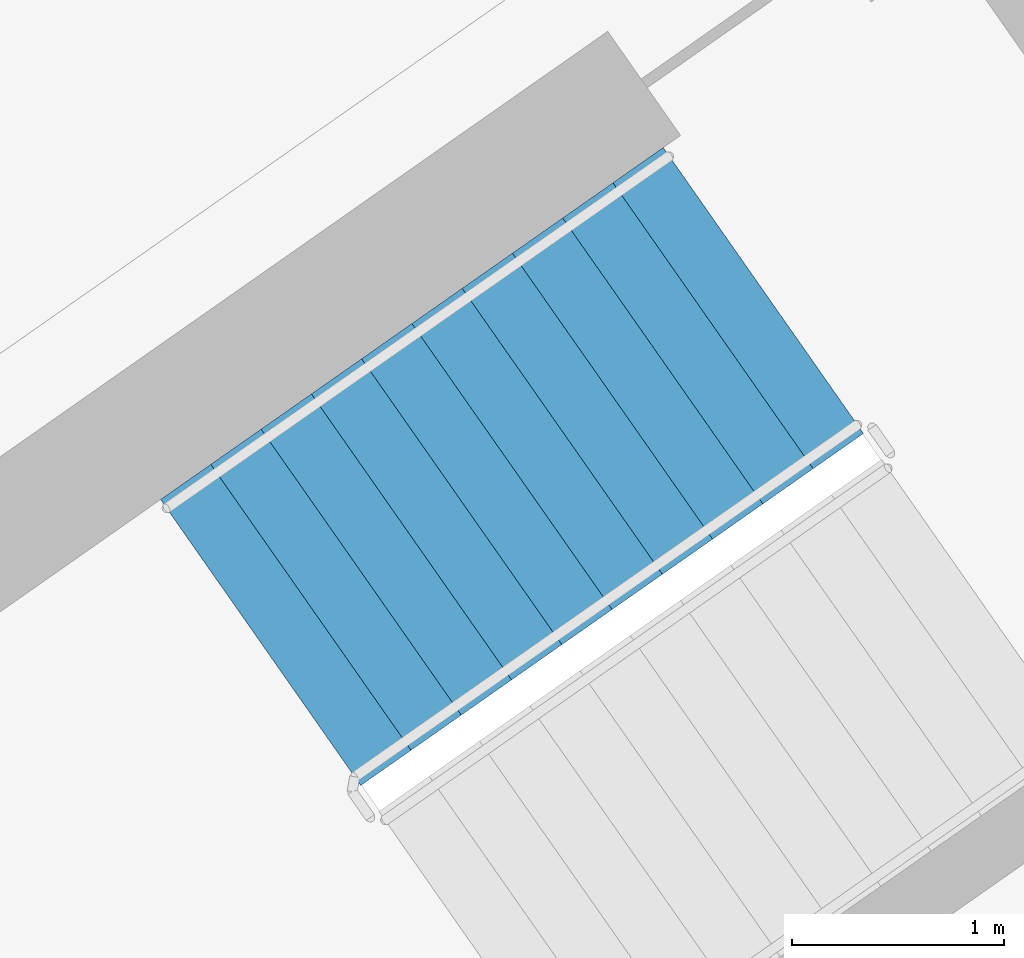
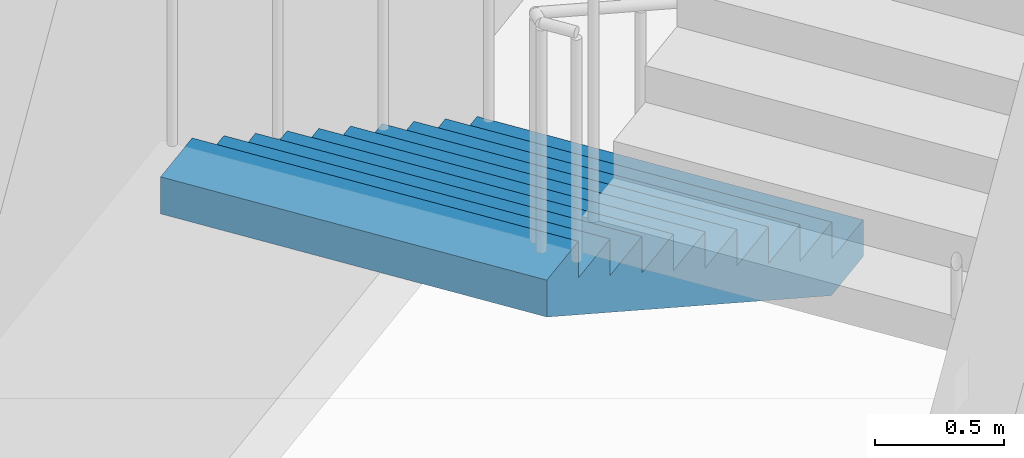
# One storey, part 15 of 28: 1 stair flight, 1 element without a shape of its own.
"""IFC4 building model written with IfcOpenShell, lengths in metres."""

from ifc_helpers import new_model, si_unit, direction, frame, origin, place, context, subcontext, project, spatial, faceted_brep, material, type_object, element, aggregate, save


model = new_model("IFC4")

# Units and contexts
model_context = context("Model", 3, precision=1e-05, world=origin(), true_north=direction((0.0, 1.0)))
body_context = subcontext(model_context, "Body", "Model", "MODEL_VIEW")
ifc_project = project(units=[si_unit("LENGTHUNIT", "METRE"), si_unit("AREAUNIT", "SQUARE_METRE"), si_unit("VOLUMEUNIT", "CUBIC_METRE"), si_unit("PLANEANGLEUNIT", "RADIAN"), si_unit("MASSUNIT", "GRAM", prefix="KILO")], contexts=[model_context])

# Site, building, storey
site_placement = place(None, origin())
site = spatial("IfcSite", under=ifc_project, at=site_placement, CompositionType="ELEMENT")
building_placement = place(site_placement, origin())
building = spatial("IfcBuilding", under=site, at=building_placement, Name="Qamariyya Broadcast Tower", CompositionType="ELEMENT")
storey_placement = place(building_placement, frame((0.0, 0.0, 249.300048828125)))
storey = spatial("IfcBuildingStorey", under=building, at=storey_placement, Name="L60", CompositionType="ELEMENT", Elevation=249.300048828125)

# Stair, stair flight
ifc_material = material(Name="Concrete C50/60", Category="concrete")
stair_type = type_object("IfcStairType", Name="Exit stair 22 risers of 173 mm", PredefinedType="HALF_TURN_STAIR", material=ifc_material)
stair_placement = place(storey_placement, origin())
stair = element("IfcStair", 1, at=stair_placement, inside=storey, type_object=stair_type, Name="L60 Stair E2", PredefinedType="HALF_TURN_STAIR")
stair_flight_type = type_object("IfcStairFlightType", Name="Exit stair flight 11 risers of 173 mm", PredefinedType="STRAIGHT", material=ifc_material)
stair_flight_placement = place(storey_placement, frame((40.558837890625, -47.685302734375, 0.0), z_axis=(0.0, 0.0, 1.0), x_axis=(-0.819152044289, -0.573576436351, 0.0)))
stair_flight = element("IfcStairFlight", 2, at=stair_flight_placement, type_object=stair_flight_type, Name="ST-E2 flight 1", NumberOfRisers=11, NumberOfTreads=10, PredefinedType="STRAIGHT", RiserHeight=0.172727273, TreadLength=0.29, context=body_context, shape_type="Brep", body=[
    faceted_brep([(0.0, 0.824951171875, 0.0), (0.0, 0.824951171875, 0.172607421875), (0.2900390625, 0.824951171875, 0.172607421875), (0.2900390625, 0.824951171875, 0.345458984375), (0.580078125, 0.824951171875, 0.345458984375), (0.580078125, 0.824951171875, 0.51806640625), (0.8701171875, 0.824951171875, 0.51806640625), (0.8701171875, 0.824951171875, 0.69091796875), (1.159912109375, 0.824951171875, 0.69091796875), (1.159912109375, 0.824951171875, 0.863525390625), (1.449951171875, 0.824951171875, 0.863525390625), (1.449951171875, 0.824951171875, 1.036376953125), (1.739990234375, 0.824951171875, 1.036376953125), (1.739990234375, 0.824951171875, 1.208984375), (2.030029296875, 0.824951171875, 1.208984375), (2.030029296875, 0.824951171875, 1.3818359375), (2.320068359375, 0.824951171875, 1.3818359375), (2.320068359375, 0.824951171875, 1.554443359375), (2.610107421875, 0.824951171875, 1.554443359375), (2.610107421875, 0.824951171875, 1.727294921875), (2.89990234375, 0.824951171875, 1.727294921875), (2.89990234375, 0.824951171875, 1.552734375), (0.29296875, 0.824951171875, 0.0), (0.29296875, -0.824951171875, 0.0), (2.89990234375, -0.824951171875, 1.552734375), (2.89990234375, -0.824951171875, 1.727294921875), (2.610107421875, -0.824951171875, 1.727294921875), (2.610107421875, -0.824951171875, 1.554443359375), (2.320068359375, -0.824951171875, 1.554443359375), (2.320068359375, -0.824951171875, 1.3818359375), (2.030029296875, -0.824951171875, 1.3818359375), (2.030029296875, -0.824951171875, 1.208984375), (1.739990234375, -0.824951171875, 1.208984375), (1.739990234375, -0.824951171875, 1.036376953125), (1.449951171875, -0.824951171875, 1.036376953125), (1.449951171875, -0.824951171875, 0.863525390625), (1.159912109375, -0.824951171875, 0.863525390625), (1.159912109375, -0.824951171875, 0.69091796875), (0.8701171875, -0.824951171875, 0.69091796875), (0.8701171875, -0.824951171875, 0.51806640625), (0.580078125, -0.824951171875, 0.51806640625), (0.580078125, -0.824951171875, 0.345458984375), (0.2900390625, -0.824951171875, 0.345458984375), (0.2900390625, -0.824951171875, 0.172607421875), (0.0, -0.824951171875, 0.172607421875), (0.0, -0.824951171875, 0.0), (0.0, 0.10009765625, 0.0), (0.0, 0.086669921875, 0.0), (0.0, 0.0732421875, 0.0), (0.0, 0.06005859375, 0.0), (0.0, 0.046630859375, 0.0), (0.0, 0.033447265625, 0.0), (0.0, 0.02001953125, 0.0), (0.0, 0.006591796875, 0.0), (0.0, -0.006591796875, 0.0), (0.0, -0.02001953125, 0.0), (0.0, -0.033447265625, 0.0), (0.0, -0.046630859375, 0.0), (0.0, -0.06005859375, 0.0), (0.0, -0.0732421875, 0.0), (0.0, -0.086669921875, 0.0), (0.0, -0.10009765625, 0.0), (0.0, -0.10009765625, 0.172607421875), (0.0, -0.086669921875, 0.172607421875), (0.0, -0.0732421875, 0.172607421875), (0.0, -0.06005859375, 0.172607421875), (0.0, -0.046630859375, 0.172607421875), (0.0, -0.033447265625, 0.172607421875), (0.0, -0.02001953125, 0.172607421875), (0.0, -0.006591796875, 0.172607421875), (0.0, 0.006591796875, 0.172607421875), (0.0, 0.02001953125, 0.172607421875), (0.0, 0.033447265625, 0.172607421875), (0.0, 0.046630859375, 0.172607421875), (0.0, 0.06005859375, 0.172607421875), (0.0, 0.0732421875, 0.172607421875), (0.0, 0.086669921875, 0.172607421875), (0.0, 0.10009765625, 0.172607421875), (0.2900390625, -0.10009765625, 0.172607421875), (0.2900390625, -0.086669921875, 0.172607421875), (0.2900390625, -0.0732421875, 0.172607421875), (0.2900390625, -0.06005859375, 0.172607421875), (0.2900390625, -0.046630859375, 0.172607421875), (0.2900390625, -0.033447265625, 0.172607421875), (0.2900390625, -0.02001953125, 0.172607421875), (0.2900390625, -0.006591796875, 0.172607421875), (0.2900390625, 0.006591796875, 0.172607421875), (0.2900390625, 0.02001953125, 0.172607421875), (0.2900390625, 0.033447265625, 0.172607421875), (0.2900390625, 0.046630859375, 0.172607421875), (0.2900390625, 0.06005859375, 0.172607421875), (0.2900390625, 0.0732421875, 0.172607421875), (0.2900390625, 0.086669921875, 0.172607421875), (0.2900390625, 0.10009765625, 0.172607421875), (0.2900390625, -0.10009765625, 0.345458984375), (0.2900390625, -0.086669921875, 0.345458984375), (0.2900390625, -0.0732421875, 0.345458984375), (0.2900390625, -0.06005859375, 0.345458984375), (0.2900390625, -0.046630859375, 0.345458984375), (0.2900390625, -0.033447265625, 0.345458984375), (0.2900390625, -0.02001953125, 0.345458984375), (0.2900390625, -0.006591796875, 0.345458984375), (0.2900390625, 0.006591796875, 0.345458984375), (0.2900390625, 0.02001953125, 0.345458984375), (0.2900390625, 0.033447265625, 0.345458984375), (0.2900390625, 0.046630859375, 0.345458984375), (0.2900390625, 0.06005859375, 0.345458984375), (0.2900390625, 0.0732421875, 0.345458984375), (0.2900390625, 0.086669921875, 0.345458984375), (0.2900390625, 0.10009765625, 0.345458984375), (0.580078125, -0.10009765625, 0.345458984375), (0.580078125, -0.086669921875, 0.345458984375), (0.580078125, -0.0732421875, 0.345458984375), (0.580078125, -0.06005859375, 0.345458984375), (0.580078125, -0.046630859375, 0.345458984375), (0.580078125, -0.033447265625, 0.345458984375), (0.580078125, -0.02001953125, 0.345458984375), (0.580078125, -0.006591796875, 0.345458984375), (0.580078125, 0.006591796875, 0.345458984375), (0.580078125, 0.02001953125, 0.345458984375), (0.580078125, 0.033447265625, 0.345458984375), (0.580078125, 0.046630859375, 0.345458984375), (0.580078125, 0.06005859375, 0.345458984375), (0.580078125, 0.0732421875, 0.345458984375), (0.580078125, 0.086669921875, 0.345458984375), (0.580078125, 0.10009765625, 0.345458984375), (0.580078125, -0.10009765625, 0.51806640625), (0.580078125, -0.086669921875, 0.51806640625), (0.580078125, -0.0732421875, 0.51806640625), (0.580078125, -0.06005859375, 0.51806640625), (0.580078125, -0.046630859375, 0.51806640625), (0.580078125, -0.033447265625, 0.51806640625), (0.580078125, -0.02001953125, 0.51806640625), (0.580078125, -0.006591796875, 0.51806640625), (0.580078125, 0.006591796875, 0.51806640625), (0.580078125, 0.02001953125, 0.51806640625), (0.580078125, 0.033447265625, 0.51806640625), (0.580078125, 0.046630859375, 0.51806640625), (0.580078125, 0.06005859375, 0.51806640625), (0.580078125, 0.0732421875, 0.51806640625), (0.580078125, 0.086669921875, 0.51806640625), (0.580078125, 0.10009765625, 0.51806640625), (0.8701171875, -0.10009765625, 0.51806640625), (0.8701171875, -0.086669921875, 0.51806640625), (0.8701171875, -0.0732421875, 0.51806640625), (0.8701171875, -0.06005859375, 0.51806640625), (0.8701171875, -0.046630859375, 0.51806640625), (0.8701171875, -0.033447265625, 0.51806640625), (0.8701171875, -0.02001953125, 0.51806640625), (0.8701171875, -0.006591796875, 0.51806640625), (0.8701171875, 0.006591796875, 0.51806640625), (0.8701171875, 0.02001953125, 0.51806640625), (0.8701171875, 0.033447265625, 0.51806640625), (0.8701171875, 0.046630859375, 0.51806640625), (0.8701171875, 0.06005859375, 0.51806640625), (0.8701171875, 0.0732421875, 0.51806640625), (0.8701171875, 0.086669921875, 0.51806640625), (0.8701171875, 0.10009765625, 0.51806640625), (0.8701171875, -0.10009765625, 0.69091796875), (0.8701171875, -0.086669921875, 0.69091796875), (0.8701171875, -0.0732421875, 0.69091796875), (0.8701171875, -0.06005859375, 0.69091796875), (0.8701171875, -0.046630859375, 0.69091796875), (0.8701171875, -0.033447265625, 0.69091796875), (0.8701171875, -0.02001953125, 0.69091796875), (0.8701171875, -0.006591796875, 0.69091796875), (0.8701171875, 0.006591796875, 0.69091796875), (0.8701171875, 0.02001953125, 0.69091796875), (0.8701171875, 0.033447265625, 0.69091796875), (0.8701171875, 0.046630859375, 0.69091796875), (0.8701171875, 0.06005859375, 0.69091796875), (0.8701171875, 0.0732421875, 0.69091796875), (0.8701171875, 0.086669921875, 0.69091796875), (0.8701171875, 0.10009765625, 0.69091796875), (1.159912109375, -0.10009765625, 0.69091796875), (1.159912109375, -0.086669921875, 0.69091796875), (1.159912109375, -0.0732421875, 0.69091796875), (1.159912109375, -0.06005859375, 0.69091796875), (1.159912109375, -0.046630859375, 0.69091796875), (1.159912109375, -0.033447265625, 0.69091796875), (1.159912109375, -0.02001953125, 0.69091796875), (1.159912109375, -0.006591796875, 0.69091796875), (1.159912109375, 0.006591796875, 0.69091796875), (1.159912109375, 0.02001953125, 0.69091796875), (1.159912109375, 0.033447265625, 0.69091796875), (1.159912109375, 0.046630859375, 0.69091796875), (1.159912109375, 0.06005859375, 0.69091796875), (1.159912109375, 0.0732421875, 0.69091796875), (1.159912109375, 0.086669921875, 0.69091796875), (1.159912109375, 0.10009765625, 0.69091796875), (1.159912109375, -0.10009765625, 0.863525390625), (1.159912109375, -0.086669921875, 0.863525390625), (1.159912109375, -0.0732421875, 0.863525390625), (1.159912109375, -0.06005859375, 0.863525390625), (1.159912109375, -0.046630859375, 0.863525390625), (1.159912109375, -0.033447265625, 0.863525390625), (1.159912109375, -0.02001953125, 0.863525390625), (1.159912109375, -0.006591796875, 0.863525390625), (1.159912109375, 0.006591796875, 0.863525390625), (1.159912109375, 0.02001953125, 0.863525390625), (1.159912109375, 0.033447265625, 0.863525390625), (1.159912109375, 0.046630859375, 0.863525390625), (1.159912109375, 0.06005859375, 0.863525390625), (1.159912109375, 0.0732421875, 0.863525390625), (1.159912109375, 0.086669921875, 0.863525390625), (1.159912109375, 0.10009765625, 0.863525390625), (1.449951171875, -0.10009765625, 0.863525390625), (1.449951171875, -0.086669921875, 0.863525390625), (1.449951171875, -0.0732421875, 0.863525390625), (1.449951171875, -0.06005859375, 0.863525390625), (1.449951171875, -0.046630859375, 0.863525390625), (1.449951171875, -0.033447265625, 0.863525390625), (1.449951171875, -0.02001953125, 0.863525390625), (1.449951171875, -0.006591796875, 0.863525390625), (1.449951171875, 0.006591796875, 0.863525390625), (1.449951171875, 0.02001953125, 0.863525390625), (1.449951171875, 0.033447265625, 0.863525390625), (1.449951171875, 0.046630859375, 0.863525390625), (1.449951171875, 0.06005859375, 0.863525390625), (1.449951171875, 0.0732421875, 0.863525390625), (1.449951171875, 0.086669921875, 0.863525390625), (1.449951171875, 0.10009765625, 0.863525390625), (1.449951171875, -0.10009765625, 1.036376953125), (1.449951171875, -0.086669921875, 1.036376953125), (1.449951171875, -0.0732421875, 1.036376953125), (1.449951171875, -0.06005859375, 1.036376953125), (1.449951171875, -0.046630859375, 1.036376953125), (1.449951171875, -0.033447265625, 1.036376953125), (1.449951171875, -0.02001953125, 1.036376953125), (1.449951171875, -0.006591796875, 1.036376953125), (1.449951171875, 0.006591796875, 1.036376953125), (1.449951171875, 0.02001953125, 1.036376953125), (1.449951171875, 0.033447265625, 1.036376953125), (1.449951171875, 0.046630859375, 1.036376953125), (1.449951171875, 0.06005859375, 1.036376953125), (1.449951171875, 0.0732421875, 1.036376953125), (1.449951171875, 0.086669921875, 1.036376953125), (1.449951171875, 0.10009765625, 1.036376953125), (1.739990234375, -0.10009765625, 1.036376953125), (1.739990234375, -0.086669921875, 1.036376953125), (1.739990234375, -0.0732421875, 1.036376953125), (1.739990234375, -0.06005859375, 1.036376953125), (1.739990234375, -0.046630859375, 1.036376953125), (1.739990234375, -0.033447265625, 1.036376953125), (1.739990234375, -0.02001953125, 1.036376953125), (1.739990234375, -0.006591796875, 1.036376953125), (1.739990234375, 0.006591796875, 1.036376953125), (1.739990234375, 0.02001953125, 1.036376953125), (1.739990234375, 0.033447265625, 1.036376953125), (1.739990234375, 0.046630859375, 1.036376953125), (1.739990234375, 0.06005859375, 1.036376953125), (1.739990234375, 0.0732421875, 1.036376953125), (1.739990234375, 0.086669921875, 1.036376953125), (1.739990234375, 0.10009765625, 1.036376953125), (1.739990234375, -0.10009765625, 1.208984375), (1.739990234375, -0.086669921875, 1.208984375), (1.739990234375, -0.0732421875, 1.208984375), (1.739990234375, -0.06005859375, 1.208984375), (1.739990234375, -0.046630859375, 1.208984375), (1.739990234375, -0.033447265625, 1.208984375), (1.739990234375, -0.02001953125, 1.208984375), (1.739990234375, -0.006591796875, 1.208984375), (1.739990234375, 0.006591796875, 1.208984375), (1.739990234375, 0.02001953125, 1.208984375), (1.739990234375, 0.033447265625, 1.208984375), (1.739990234375, 0.046630859375, 1.208984375), (1.739990234375, 0.06005859375, 1.208984375), (1.739990234375, 0.0732421875, 1.208984375), (1.739990234375, 0.086669921875, 1.208984375), (1.739990234375, 0.10009765625, 1.208984375), (2.030029296875, -0.10009765625, 1.208984375), (2.030029296875, -0.086669921875, 1.208984375), (2.030029296875, -0.0732421875, 1.208984375), (2.030029296875, -0.06005859375, 1.208984375), (2.030029296875, -0.046630859375, 1.208984375), (2.030029296875, -0.033447265625, 1.208984375), (2.030029296875, -0.02001953125, 1.208984375), (2.030029296875, -0.006591796875, 1.208984375), (2.030029296875, 0.006591796875, 1.208984375), (2.030029296875, 0.02001953125, 1.208984375), (2.030029296875, 0.033447265625, 1.208984375), (2.030029296875, 0.046630859375, 1.208984375), (2.030029296875, 0.06005859375, 1.208984375), (2.030029296875, 0.0732421875, 1.208984375), (2.030029296875, 0.086669921875, 1.208984375), (2.030029296875, 0.10009765625, 1.208984375), (2.030029296875, -0.10009765625, 1.3818359375), (2.030029296875, -0.086669921875, 1.3818359375), (2.030029296875, -0.0732421875, 1.3818359375), (2.030029296875, -0.06005859375, 1.3818359375), (2.030029296875, -0.046630859375, 1.3818359375), (2.030029296875, -0.033447265625, 1.3818359375), (2.030029296875, -0.02001953125, 1.3818359375), (2.030029296875, -0.006591796875, 1.3818359375), (2.030029296875, 0.006591796875, 1.3818359375), (2.030029296875, 0.02001953125, 1.3818359375), (2.030029296875, 0.033447265625, 1.3818359375), (2.030029296875, 0.046630859375, 1.3818359375), (2.030029296875, 0.06005859375, 1.3818359375), (2.030029296875, 0.0732421875, 1.3818359375), (2.030029296875, 0.086669921875, 1.3818359375), (2.030029296875, 0.10009765625, 1.3818359375), (2.320068359375, -0.10009765625, 1.3818359375), (2.320068359375, -0.086669921875, 1.3818359375), (2.320068359375, -0.0732421875, 1.3818359375), (2.320068359375, -0.06005859375, 1.3818359375), (2.320068359375, -0.046630859375, 1.3818359375), (2.320068359375, -0.033447265625, 1.3818359375), (2.320068359375, -0.02001953125, 1.3818359375), (2.320068359375, -0.006591796875, 1.3818359375), (2.320068359375, 0.006591796875, 1.3818359375), (2.320068359375, 0.02001953125, 1.3818359375), (2.320068359375, 0.033447265625, 1.3818359375), (2.320068359375, 0.046630859375, 1.3818359375), (2.320068359375, 0.06005859375, 1.3818359375), (2.320068359375, 0.0732421875, 1.3818359375), (2.320068359375, 0.086669921875, 1.3818359375), (2.320068359375, 0.10009765625, 1.3818359375), (2.320068359375, -0.10009765625, 1.554443359375), (2.320068359375, -0.086669921875, 1.554443359375), (2.320068359375, -0.0732421875, 1.554443359375), (2.320068359375, -0.06005859375, 1.554443359375), (2.320068359375, -0.046630859375, 1.554443359375), (2.320068359375, -0.033447265625, 1.554443359375), (2.320068359375, -0.02001953125, 1.554443359375), (2.320068359375, -0.006591796875, 1.554443359375), (2.320068359375, 0.006591796875, 1.554443359375), (2.320068359375, 0.02001953125, 1.554443359375), (2.320068359375, 0.033447265625, 1.554443359375), (2.320068359375, 0.046630859375, 1.554443359375), (2.320068359375, 0.06005859375, 1.554443359375), (2.320068359375, 0.0732421875, 1.554443359375), (2.320068359375, 0.086669921875, 1.554443359375), (2.320068359375, 0.10009765625, 1.554443359375), (2.610107421875, -0.10009765625, 1.554443359375), (2.610107421875, -0.086669921875, 1.554443359375), (2.610107421875, -0.0732421875, 1.554443359375), (2.610107421875, -0.06005859375, 1.554443359375), (2.610107421875, -0.046630859375, 1.554443359375), (2.610107421875, -0.033447265625, 1.554443359375), (2.610107421875, -0.02001953125, 1.554443359375), (2.610107421875, -0.006591796875, 1.554443359375), (2.610107421875, 0.006591796875, 1.554443359375), (2.610107421875, 0.02001953125, 1.554443359375), (2.610107421875, 0.033447265625, 1.554443359375), (2.610107421875, 0.046630859375, 1.554443359375), (2.610107421875, 0.06005859375, 1.554443359375), (2.610107421875, 0.0732421875, 1.554443359375), (2.610107421875, 0.086669921875, 1.554443359375), (2.610107421875, 0.10009765625, 1.554443359375), (2.610107421875, -0.10009765625, 1.727294921875), (2.610107421875, -0.086669921875, 1.727294921875), (2.610107421875, -0.0732421875, 1.727294921875), (2.610107421875, -0.06005859375, 1.727294921875), (2.610107421875, -0.046630859375, 1.727294921875), (2.610107421875, -0.033447265625, 1.727294921875), (2.610107421875, -0.02001953125, 1.727294921875), (2.610107421875, -0.006591796875, 1.727294921875), (2.610107421875, 0.006591796875, 1.727294921875), (2.610107421875, 0.02001953125, 1.727294921875), (2.610107421875, 0.033447265625, 1.727294921875), (2.610107421875, 0.046630859375, 1.727294921875), (2.610107421875, 0.06005859375, 1.727294921875), (2.610107421875, 0.0732421875, 1.727294921875), (2.610107421875, 0.086669921875, 1.727294921875), (2.610107421875, 0.10009765625, 1.727294921875), (2.89990234375, -0.10009765625, 1.727294921875), (2.89990234375, -0.086669921875, 1.727294921875), (2.89990234375, -0.0732421875, 1.727294921875), (2.89990234375, -0.06005859375, 1.727294921875), (2.89990234375, -0.046630859375, 1.727294921875), (2.89990234375, -0.033447265625, 1.727294921875), (2.89990234375, -0.02001953125, 1.727294921875), (2.89990234375, -0.006591796875, 1.727294921875), (2.89990234375, 0.006591796875, 1.727294921875), (2.89990234375, 0.02001953125, 1.727294921875), (2.89990234375, 0.033447265625, 1.727294921875), (2.89990234375, 0.046630859375, 1.727294921875), (2.89990234375, 0.06005859375, 1.727294921875), (2.89990234375, 0.0732421875, 1.727294921875), (2.89990234375, 0.086669921875, 1.727294921875), (2.89990234375, 0.10009765625, 1.727294921875), (2.89990234375, -0.10009765625, 1.552734375), (2.89990234375, -0.086669921875, 1.552734375), (2.89990234375, -0.0732421875, 1.552734375), (2.89990234375, -0.06005859375, 1.552734375), (2.89990234375, -0.046630859375, 1.552734375), (2.89990234375, -0.033447265625, 1.552734375), (2.89990234375, -0.02001953125, 1.552734375), (2.89990234375, -0.006591796875, 1.552734375), (2.89990234375, 0.006591796875, 1.552734375), (2.89990234375, 0.02001953125, 1.552734375), (2.89990234375, 0.033447265625, 1.552734375), (2.89990234375, 0.046630859375, 1.552734375), (2.89990234375, 0.06005859375, 1.552734375), (2.89990234375, 0.0732421875, 1.552734375), (2.89990234375, 0.086669921875, 1.552734375), (2.89990234375, 0.10009765625, 1.552734375), (0.29296875, -0.10009765625, 0.0), (0.29296875, -0.086669921875, 0.0), (0.29296875, -0.0732421875, 0.0), (0.29296875, -0.06005859375, 0.0), (0.29296875, -0.046630859375, 0.0), (0.29296875, -0.033447265625, 0.0), (0.29296875, -0.02001953125, 0.0), (0.29296875, -0.006591796875, 0.0), (0.29296875, 0.006591796875, 0.0), (0.29296875, 0.02001953125, 0.0), (0.29296875, 0.033447265625, 0.0), (0.29296875, 0.046630859375, 0.0), (0.29296875, 0.06005859375, 0.0), (0.29296875, 0.0732421875, 0.0), (0.29296875, 0.086669921875, 0.0), (0.29296875, 0.10009765625, 0.0)], [[[0, 1, 2, 3, 4, 5, 6, 7, 8, 9, 10, 11, 12, 13, 14, 15, 16, 17, 18, 19, 20, 21, 22]], [[23, 24, 25, 26, 27, 28, 29, 30, 31, 32, 33, 34, 35, 36, 37, 38, 39, 40, 41, 42, 43, 44, 45]], [[0, 46, 47, 48, 49, 50, 51, 52, 53, 54, 55, 56, 57, 58, 59, 60, 61, 45, 44, 62, 63, 64, 65, 66, 67, 68, 69, 70, 71, 72, 73, 74, 75, 76, 77, 1]], [[1, 77, 76, 75, 74, 73, 72, 71, 70, 69, 68, 67, 66, 65, 64, 63, 62, 44, 43, 78, 79, 80, 81, 82, 83, 84, 85, 86, 87, 88, 89, 90, 91, 92, 93, 2]], [[2, 93, 92, 91, 90, 89, 88, 87, 86, 85, 84, 83, 82, 81, 80, 79, 78, 43, 42, 94, 95, 96, 97, 98, 99, 100, 101, 102, 103, 104, 105, 106, 107, 108, 109, 3]], [[3, 109, 108, 107, 106, 105, 104, 103, 102, 101, 100, 99, 98, 97, 96, 95, 94, 42, 41, 110, 111, 112, 113, 114, 115, 116, 117, 118, 119, 120, 121, 122, 123, 124, 125, 4]], [[4, 125, 124, 123, 122, 121, 120, 119, 118, 117, 116, 115, 114, 113, 112, 111, 110, 41, 40, 126, 127, 128, 129, 130, 131, 132, 133, 134, 135, 136, 137, 138, 139, 140, 141, 5]], [[5, 141, 140, 139, 138, 137, 136, 135, 134, 133, 132, 131, 130, 129, 128, 127, 126, 40, 39, 142, 143, 144, 145, 146, 147, 148, 149, 150, 151, 152, 153, 154, 155, 156, 157, 6]], [[6, 157, 156, 155, 154, 153, 152, 151, 150, 149, 148, 147, 146, 145, 144, 143, 142, 39, 38, 158, 159, 160, 161, 162, 163, 164, 165, 166, 167, 168, 169, 170, 171, 172, 173, 7]], [[7, 173, 172, 171, 170, 169, 168, 167, 166, 165, 164, 163, 162, 161, 160, 159, 158, 38, 37, 174, 175, 176, 177, 178, 179, 180, 181, 182, 183, 184, 185, 186, 187, 188, 189, 8]], [[8, 189, 188, 187, 186, 185, 184, 183, 182, 181, 180, 179, 178, 177, 176, 175, 174, 37, 36, 190, 191, 192, 193, 194, 195, 196, 197, 198, 199, 200, 201, 202, 203, 204, 205, 9]], [[9, 205, 204, 203, 202, 201, 200, 199, 198, 197, 196, 195, 194, 193, 192, 191, 190, 36, 35, 206, 207, 208, 209, 210, 211, 212, 213, 214, 215, 216, 217, 218, 219, 220, 221, 10]], [[10, 221, 220, 219, 218, 217, 216, 215, 214, 213, 212, 211, 210, 209, 208, 207, 206, 35, 34, 222, 223, 224, 225, 226, 227, 228, 229, 230, 231, 232, 233, 234, 235, 236, 237, 11]], [[11, 237, 236, 235, 234, 233, 232, 231, 230, 229, 228, 227, 226, 225, 224, 223, 222, 34, 33, 238, 239, 240, 241, 242, 243, 244, 245, 246, 247, 248, 249, 250, 251, 252, 253, 12]], [[12, 253, 252, 251, 250, 249, 248, 247, 246, 245, 244, 243, 242, 241, 240, 239, 238, 33, 32, 254, 255, 256, 257, 258, 259, 260, 261, 262, 263, 264, 265, 266, 267, 268, 269, 13]], [[13, 269, 268, 267, 266, 265, 264, 263, 262, 261, 260, 259, 258, 257, 256, 255, 254, 32, 31, 270, 271, 272, 273, 274, 275, 276, 277, 278, 279, 280, 281, 282, 283, 284, 285, 14]], [[14, 285, 284, 283, 282, 281, 280, 279, 278, 277, 276, 275, 274, 273, 272, 271, 270, 31, 30, 286, 287, 288, 289, 290, 291, 292, 293, 294, 295, 296, 297, 298, 299, 300, 301, 15]], [[15, 301, 300, 299, 298, 297, 296, 295, 294, 293, 292, 291, 290, 289, 288, 287, 286, 30, 29, 302, 303, 304, 305, 306, 307, 308, 309, 310, 311, 312, 313, 314, 315, 316, 317, 16]], [[16, 317, 316, 315, 314, 313, 312, 311, 310, 309, 308, 307, 306, 305, 304, 303, 302, 29, 28, 318, 319, 320, 321, 322, 323, 324, 325, 326, 327, 328, 329, 330, 331, 332, 333, 17]], [[17, 333, 332, 331, 330, 329, 328, 327, 326, 325, 324, 323, 322, 321, 320, 319, 318, 28, 27, 334, 335, 336, 337, 338, 339, 340, 341, 342, 343, 344, 345, 346, 347, 348, 349, 18]], [[18, 349, 348, 347, 346, 345, 344, 343, 342, 341, 340, 339, 338, 337, 336, 335, 334, 27, 26, 350, 351, 352, 353, 354, 355, 356, 357, 358, 359, 360, 361, 362, 363, 364, 365, 19]], [[19, 365, 364, 363, 362, 361, 360, 359, 358, 357, 356, 355, 354, 353, 352, 351, 350, 26, 25, 366, 367, 368, 369, 370, 371, 372, 373, 374, 375, 376, 377, 378, 379, 380, 381, 20]], [[20, 381, 380, 379, 378, 377, 376, 375, 374, 373, 372, 371, 370, 369, 368, 367, 366, 25, 24, 382, 383, 384, 385, 386, 387, 388, 389, 390, 391, 392, 393, 394, 395, 396, 397, 21]], [[21, 397, 396, 395, 394, 393, 392, 391, 390, 389, 388, 387, 386, 385, 384, 383, 382, 24, 23, 398, 399, 400, 401, 402, 403, 404, 405, 406, 407, 408, 409, 410, 411, 412, 413, 22]], [[22, 413, 412, 411, 410, 409, 408, 407, 406, 405, 404, 403, 402, 401, 400, 399, 398, 23, 45, 61, 60, 59, 58, 57, 56, 55, 54, 53, 52, 51, 50, 49, 48, 47, 46, 0]]]),
])
aggregate(stair, [stair_flight])

save(model, "model.ifc")
